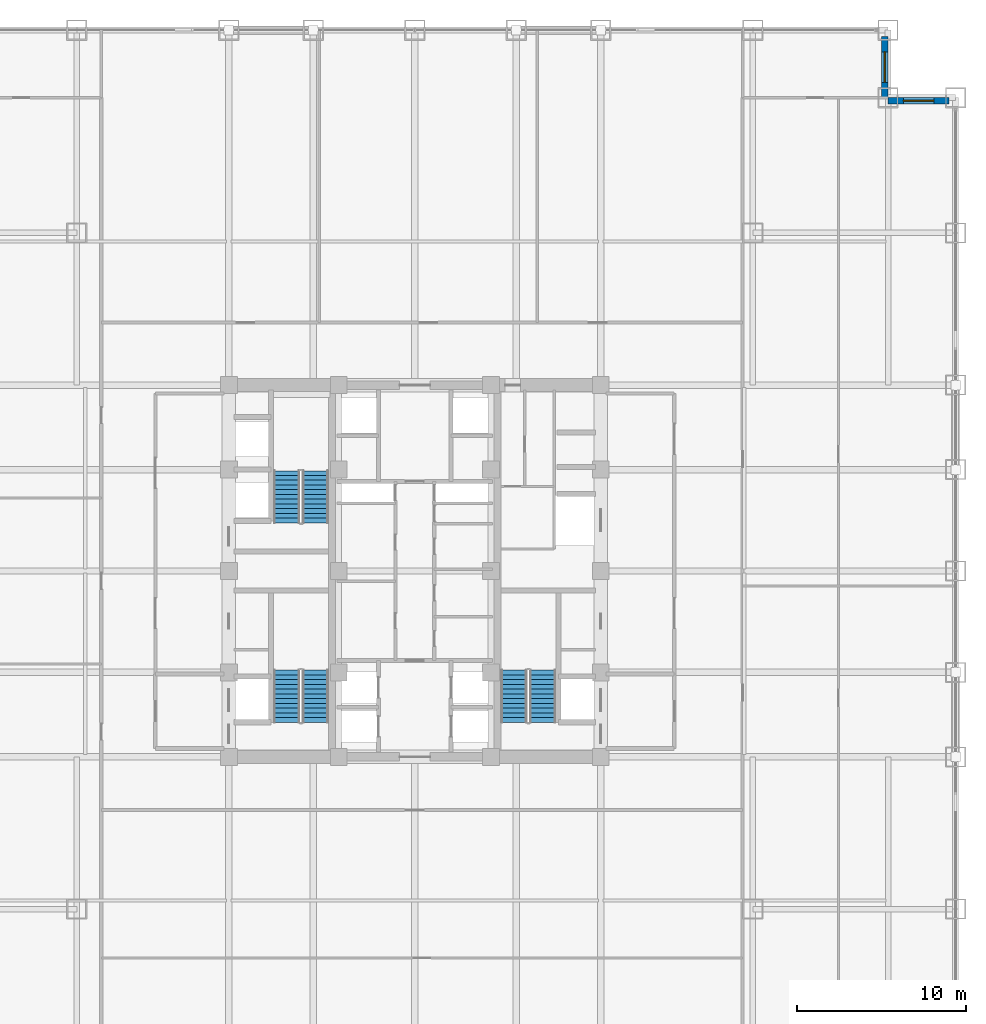
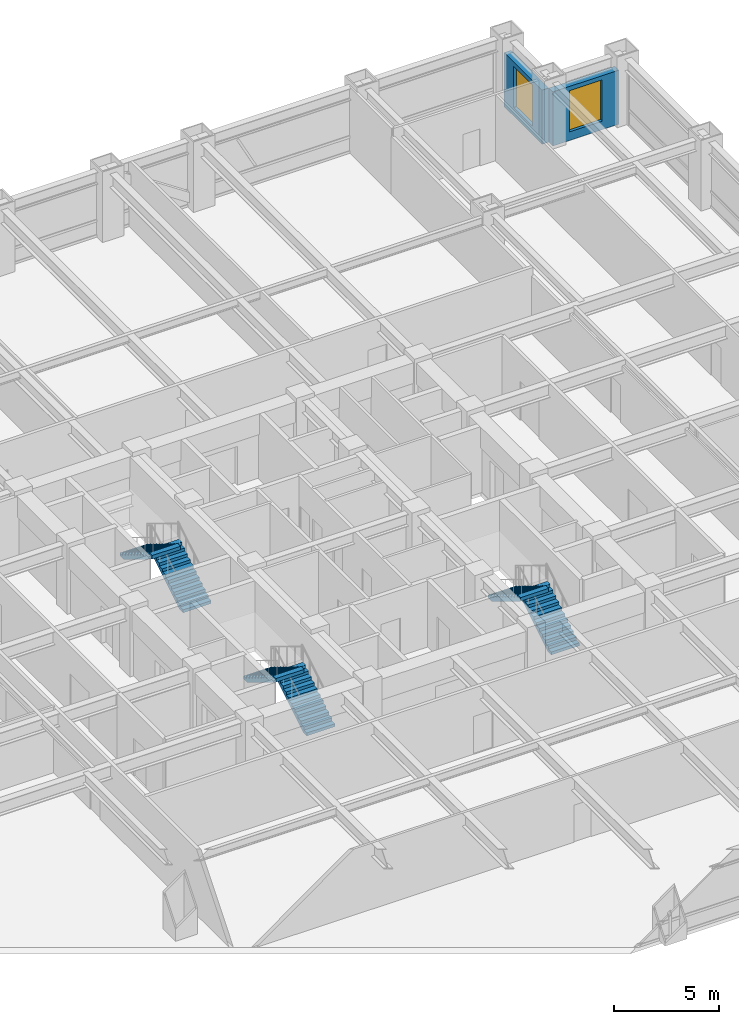
# One storey, part 27 of 28: 6 stair flights, 2 walls, 2 windows, 2 openings, 3 elements without a shape of their own.
"""IFC4 building model written with IfcOpenShell, lengths in metres."""

import ifcopenshell
import ifcopenshell.guid

model = None  # the IFC model being written
_history = None  # IfcOwnerHistory: only IFC2X3 demands one
_inside = {}  # id of a spatial element -> (the spatial element, [elements in it])
_under = {}  # id of a project, library or spatial element -> (it, [spatial elements below it])
_declared = {}  # id of a project -> (the project, [libraries it declares])
_typed = {}  # id of a type object -> (the type object, [elements of that type])
_made_of = {}  # id of a material, layer set ... -> (it, [elements and type objects made of it])


def new_model(schema):
    """Start an empty IFC model of exactly this schema.

    Asked for "IFC4X3", IfcOpenShell would pick the latest addendum, in which some entities
    have other attributes; the version numbers below select the first issue.
    IFC2X3 requires an IfcOwnerHistory on every rooted entity: one is made here for all.
    """
    global model, _history
    if schema == "IFC4X3":
        model = ifcopenshell.file(schema_version=(4, 3, 0, 0))
    else:
        model = ifcopenshell.file(schema=schema)
    _inside.clear()
    _under.clear()
    _declared.clear()
    _typed.clear()
    _made_of.clear()
    _history = None
    if model.schema == "IFC2X3":
        org = make("IfcOrganization", Name="unknown")
        user = make(
            "IfcPersonAndOrganization",
            ThePerson=make("IfcPerson", FamilyName="unknown"),
            TheOrganization=org,
        )
        app = make(
            "IfcApplication",
            ApplicationDeveloper=org,
            Version="unknown",
            ApplicationFullName="unknown",
            ApplicationIdentifier="unknown",
        )
        _history = make(
            "IfcOwnerHistory",
            OwningUser=user,
            OwningApplication=app,
            ChangeAction="ADDED",
            CreationDate=0,
        )
    return model


def make(cls, **values):
    """One entity of the class cls with the attributes given. An attribute that is None is left unset."""
    return model.create_entity(
        cls, **{name: value for name, value in values.items() if value is not None}
    )


def rooted(cls, **values):
    """An entity with a GlobalId (a new one), such as an element, a storey or a relation."""
    return make(cls, GlobalId=ifcopenshell.guid.new(), OwnerHistory=_history, **values)


def si_unit(unit_type, name, prefix=None):
    """IfcSIUnit, for example si_unit("LENGTHUNIT", "METRE", prefix="MILLI")."""
    return make("IfcSIUnit", UnitType=unit_type, Prefix=prefix, Name=name)


def assignment(units):
    """IfcUnitAssignment: the units of a project."""
    return None if units is None else make("IfcUnitAssignment", Units=units)


def point(xyz):
    """IfcCartesianPoint."""
    return None if xyz is None else make("IfcCartesianPoint", Coordinates=xyz)


def direction(xyz):
    """IfcDirection."""
    return None if xyz is None else make("IfcDirection", DirectionRatios=xyz)


def frame(location, z_axis=None, x_axis=None):
    """IfcAxis2Placement3D, a coordinate frame: its origin and axes. An axis left out is left unset."""
    return make(
        "IfcAxis2Placement3D",
        Location=point(location),
        Axis=direction(z_axis),
        RefDirection=direction(x_axis),
    )


def frame_2d(location, x_axis=None):
    """IfcAxis2Placement2D, a coordinate frame in the plane: its origin and x axis."""
    return make(
        "IfcAxis2Placement2D", Location=point(location), RefDirection=direction(x_axis)
    )


def origin():
    """The frame at (0, 0, 0) with its axes left unset."""
    return frame((0.0, 0.0, 0.0))


def place(relative_to, where):
    """IfcLocalPlacement: puts the frame where relative to a parent placement (None: the world)."""
    return make(
        "IfcLocalPlacement", PlacementRelTo=relative_to, RelativePlacement=where
    )


def context(
    kind, dimensions, precision=None, world=None, true_north=None, identifier=None
):
    """IfcGeometricRepresentationContext, for example the 3D "Model" context."""
    return make(
        "IfcGeometricRepresentationContext",
        ContextIdentifier=identifier,
        ContextType=kind,
        CoordinateSpaceDimension=dimensions,
        Precision=precision,
        WorldCoordinateSystem=world,
        TrueNorth=true_north,
    )


def subcontext(parent, identifier, kind, view, scale=None):
    """IfcGeometricRepresentationSubContext, for example "Body" below "Model"."""
    return make(
        "IfcGeometricRepresentationSubContext",
        ContextIdentifier=identifier,
        ContextType=kind,
        ParentContext=parent,
        TargetScale=scale,
        TargetView=view,
    )


def project(units=None, contexts=None):
    """IfcProject with its units and contexts."""
    return rooted(
        "IfcProject",
        Name="project",
        RepresentationContexts=contexts,
        UnitsInContext=assignment(units),
    )


def spatial(cls, under=None, at=None, **own):
    """A site, building, storey or space (cls), placed at a placement, below another one or the project."""
    s = rooted(cls, ObjectPlacement=at, **own)
    if under is not None:
        _under.setdefault(under.id(), (under, []))[1].append(s)
    return s


def polyline(points):
    """IfcPolyline through the points."""
    return make("IfcPolyline", Points=[point(p) for p in points])


def profile(cls, at=None, kind="AREA", **sizes):
    """A parametric profile (cls). Its sizes go by their IFC names, for example OverallWidth=200.0."""
    return make(cls, ProfileType=kind, Position=at, **sizes)


def rectangle(**sizes):
    """IfcRectangleProfileDef."""
    return profile("IfcRectangleProfileDef", **sizes)


def outline(outer, holes=None, kind="AREA"):
    """IfcArbitraryClosedProfileDef: a profile drawn as a closed curve; with holes, ...WithVoids."""
    if holes is None:
        return make("IfcArbitraryClosedProfileDef", ProfileType=kind, OuterCurve=outer)
    return make(
        "IfcArbitraryProfileDefWithVoids",
        ProfileType=kind,
        OuterCurve=outer,
        InnerCurves=holes,
    )


def extrude(swept, where, along, depth):
    """IfcExtrudedAreaSolid: the profile swept, set in the frame where, extruded along a direction by depth."""
    return make(
        "IfcExtrudedAreaSolid",
        SweptArea=swept,
        Position=where,
        ExtrudedDirection=direction(along),
        Depth=depth,
    )


def shape(context_of_items, identifier, shape_type, items):
    """IfcShapeRepresentation: the items that make up one representation, for example the "Body"."""
    return make(
        "IfcShapeRepresentation",
        ContextOfItems=context_of_items,
        RepresentationIdentifier=identifier,
        RepresentationType=shape_type,
        Items=items,
    )


def source(mapping_origin, context_of_items, identifier, shape_type, items):
    """IfcRepresentationMap: a shape defined once, which mapped items show again and again."""
    return make(
        "IfcRepresentationMap",
        MappingOrigin=mapping_origin,
        MappedRepresentation=shape(context_of_items, identifier, shape_type, items),
    )


def transform(
    local_origin,
    x_axis=None,
    y_axis=None,
    z_axis=None,
    scale=None,
    scale2=None,
    scale3=None,
    uniform=True,
):
    """IfcCartesianTransformationOperator3D, or its non-uniform kind. x_axis, y_axis, z_axis: its Axis1, 2, 3."""
    if uniform:
        return make(
            "IfcCartesianTransformationOperator3D",
            Axis1=direction(x_axis),
            Axis2=direction(y_axis),
            LocalOrigin=point(local_origin),
            Scale=scale,
            Axis3=direction(z_axis),
        )
    return make(
        "IfcCartesianTransformationOperator3DnonUniform",
        Axis1=direction(x_axis),
        Axis2=direction(y_axis),
        LocalOrigin=point(local_origin),
        Scale=scale,
        Axis3=direction(z_axis),
        Scale2=scale2,
        Scale3=scale3,
    )


def mapped(mapping_source, mapping_target):
    """IfcMappedItem: shows the shape of a source again, moved by a transform."""
    return make(
        "IfcMappedItem", MappingSource=mapping_source, MappingTarget=mapping_target
    )


def material(Name=None, Category=None):
    """IfcMaterial."""
    return make("IfcMaterial", Name=Name, Category=Category)


def layer(
    of_material, thickness, ventilated=None, Name=None, Category=None, Priority=None
):
    """IfcMaterialLayer: one layer of a wall or slab, of a material (None: an air gap)."""
    return make(
        "IfcMaterialLayer",
        Material=of_material,
        LayerThickness=thickness,
        IsVentilated=ventilated,
        Name=Name,
        Category=Category,
        Priority=Priority,
    )


def layer_set(layers, Name=None):
    """IfcMaterialLayerSet."""
    return make("IfcMaterialLayerSet", MaterialLayers=layers, LayerSetName=Name)


def made_of(thing, what):
    """Note that an element or type object is made of a material, layer set ...; save() writes the relation."""
    if what is not None:
        _made_of.setdefault(what.id(), (what, []))[1].append(thing)
    return thing


def type_object(cls, material=None, **own):
    """A type object (cls), such as IfcWallType, which elements share."""
    return made_of(rooted(cls, **own), material)


def element(
    cls,
    number,
    at=None,
    inside=None,
    cuts=None,
    type_object=None,
    material=None,
    context=None,
    identifier="Body",
    shape_type=None,
    held_by="IfcProductDefinitionShape",
    body=None,
    shapes=None,
    **own,
):
    """One element of the class cls, such as IfcWall. Its Tag is "e" and its number.

    at: its placement. inside: the storey or other place that contains it. cuts: it is an
    opening in that element (IfcRelVoidsElement). A single representation is given by context,
    identifier, shape_type and body (its items); several are given by shapes. held_by: the class
    of the entity that holds the representations. save() writes the other relations.
    """
    e = rooted(cls, Tag="e%d" % number, ObjectPlacement=at, **own)
    if body is not None:
        shapes = [shape(context, identifier, shape_type, body)]
    if shapes is not None:
        e.Representation = make(held_by, Representations=shapes)
    if inside is not None:
        _inside.setdefault(inside.id(), (inside, []))[1].append(e)
    if cuts is not None:
        rooted(
            "IfcRelVoidsElement", RelatingBuildingElement=cuts, RelatedOpeningElement=e
        )
    if type_object is not None:
        _typed.setdefault(type_object.id(), (type_object, []))[1].append(e)
    return made_of(e, material)


def fill(opening, filler):
    """IfcRelFillsElement: the door or window that sits in an opening."""
    return rooted(
        "IfcRelFillsElement",
        RelatingOpeningElement=opening,
        RelatedBuildingElement=filler,
    )


def aggregate(whole, parts):
    """IfcRelAggregates: a whole, such as a stair, and the parts it consists of."""
    return rooted("IfcRelAggregates", RelatingObject=whole, RelatedObjects=parts)


def save(model, path):
    """Write the relations noted so far, then the file.

    IfcRelAggregates (storeys below a building ...), IfcRelContainedInSpatialStructure (elements
    in a storey), IfcRelDefinesByType, IfcRelAssociatesMaterial and IfcRelDeclares: one each for
    every whole, place, type object, material and project.
    """
    for whole, parts in _under.values():
        aggregate(whole, parts)
    for where, things in _inside.values():
        rooted(
            "IfcRelContainedInSpatialStructure",
            RelatedElements=things,
            RelatingStructure=where,
        )
    for kind, things in _typed.values():
        rooted("IfcRelDefinesByType", RelatedObjects=things, RelatingType=kind)
    for what, things in _made_of.values():
        rooted("IfcRelAssociatesMaterial", RelatedObjects=things, RelatingMaterial=what)
    for by, libraries in _declared.values():
        rooted("IfcRelDeclares", RelatingContext=by, RelatedDefinitions=libraries)
    model.write(path)


model = new_model("IFC4")

# Units and contexts
model_context = context("Model", 3, precision=1e-05, world=origin(), true_north=direction((0.0, 1.0)))
body_context = subcontext(model_context, "Body", "Model", "MODEL_VIEW")
ifc_project = project(units=[si_unit("LENGTHUNIT", "METRE"), si_unit("AREAUNIT", "SQUARE_METRE"), si_unit("VOLUMEUNIT", "CUBIC_METRE"), si_unit("PLANEANGLEUNIT", "RADIAN"), si_unit("MASSUNIT", "GRAM", prefix="KILO")], contexts=[model_context])

# Site, building, storey
site_placement = place(None, origin())
site = spatial("IfcSite", under=ifc_project, at=site_placement, CompositionType="ELEMENT")
building_placement = place(site_placement, origin())
building = spatial("IfcBuilding", under=site, at=building_placement, Name="Khorayat Bourse Tower", CompositionType="ELEMENT")
storey_placement = place(building_placement, frame((0.0, 0.0, 120.10009765625)))
storey = spatial("IfcBuildingStorey", under=building, at=storey_placement, Name="L27", CompositionType="ELEMENT", Elevation=120.10009765625)

# Wall, opening, window
ifc_material_1 = material(Name="Precast concrete C45/55", Category="concrete")
ifc_layer = layer(ifc_material_1, 0.3798828125)
ifc_layer_set = layer_set([ifc_layer], Name="Precast concrete C45/55")
wall_type = type_object("IfcWallType", Name="WAL-EXT-STONE-380", PredefinedType="STANDARD", material=ifc_layer_set)
shared_shape_1 = source(origin(), body_context, "Body", "SweptSolid", [
    extrude(rectangle(XDim=3.6201171875, YDim=0.3798828125, at=frame_2d((1.81005859375, 0.0))), origin(), (0.0, 0.0, 1.0), 3.14501953125),
])
wall_1_placement = place(storey_placement, frame((28.0, 27.81005859375, 0.0), z_axis=(0.0, 0.0, 1.0), x_axis=(1.0, 0.0, 0.0)))
wall_1 = element("IfcWall", 1, at=wall_1_placement, inside=storey, type_object=wall_type, Name="L27 Re-Entrant Notch Limestone Wall NE-H", PredefinedType="STANDARD", context=body_context, shape_type="MappedRepresentation", body=[
    mapped(shared_shape_1, transform((0.0, 0.0, 0.0), scale=1.0)),
])
shared_shape_2 = source(origin(), body_context, "Body", "SweptSolid", [
    extrude(rectangle(XDim=1.800048828125, YDim=2.39990234375, at=frame_2d((0.89990234375, 1.199951171875))), frame((0.0, 0.199951171875, 0.0), z_axis=(0.0, -1.0, 0.0), x_axis=(1.0, 0.0, 0.0)), (0.0, 0.0, 1.0), 0.39990234375),
])
opening_1_placement = place(wall_1_placement, frame((0.909912109375, 0.0, 0.5)))
opening_1 = element("IfcOpeningElement", 2, at=opening_1_placement, cuts=wall_1, Name="Opening WN-04", PredefinedType="OPENING", context=body_context, shape_type="MappedRepresentation", body=[
    mapped(shared_shape_2, transform((0.0, 0.0, 0.0), scale=1.0)),
])
ifc_material_2 = material(Name="Low-E acoustic laminated double glazing", Category="glass")
window_type = type_object("IfcWindowType", Name="WIN-NOTCH-1800x2400", PartitioningType="SINGLE_PANEL", PredefinedType="WINDOW", material=ifc_material_2)
shared_shape_3 = source(origin(), body_context, "Body", "SweptSolid", [
    extrude(rectangle(XDim=1.800048828125, YDim=2.39990234375, at=frame_2d((0.89990234375, 1.199951171875))), frame((0.0, 0.030029296875, 0.0), z_axis=(0.0, -1.0, 0.0), x_axis=(1.0, 0.0, 0.0)), (0.0, 0.0, 1.0), 0.06005859375),
])
window_1_placement = place(opening_1_placement, origin())
window_1 = element("IfcWindow", 3, at=window_1_placement, inside=storey, type_object=window_type, Name="L27 Facade Window 1", OverallHeight=2.39990234375, OverallWidth=1.800048828125, PartitioningType="SINGLE_PANEL", PredefinedType="WINDOW", context=body_context, shape_type="MappedRepresentation", body=[
    mapped(shared_shape_3, transform((0.0, 0.0, 0.0), scale=1.0)),
])
fill(opening_1, window_1)

wall_2_placement = place(storey_placement, frame((27.81005859375, 28.0, 0.0), z_axis=(0.0, 0.0, 1.0), x_axis=(0.0, 1.0, 0.0)))
wall_2 = element("IfcWall", 4, at=wall_2_placement, inside=storey, type_object=wall_type, Name="L27 Re-Entrant Notch Limestone Wall NE-V", PredefinedType="STANDARD", context=body_context, shape_type="MappedRepresentation", body=[
    mapped(shared_shape_1, transform((0.0, 0.0, 0.0), scale=1.0)),
])
opening_2_placement = place(wall_2_placement, frame((0.909912109375, 0.0, 0.5)))
opening_2 = element("IfcOpeningElement", 5, at=opening_2_placement, cuts=wall_2, Name="Opening WN-04", PredefinedType="OPENING", context=body_context, shape_type="MappedRepresentation", body=[
    mapped(shared_shape_2, transform((0.0, 0.0, 0.0), scale=1.0)),
])
window_2_placement = place(opening_2_placement, origin())
window_2 = element("IfcWindow", 6, at=window_2_placement, inside=storey, type_object=window_type, Name="L27 Facade Window 1", OverallHeight=2.39990234375, OverallWidth=1.800048828125, PartitioningType="SINGLE_PANEL", PredefinedType="WINDOW", context=body_context, shape_type="MappedRepresentation", body=[
    mapped(shared_shape_3, transform((0.0, 0.0, 0.0), scale=1.0)),
])
fill(opening_2, window_2)

# Stair, stair flights
ifc_material_3 = material(Name="Concrete C40/50", Category="concrete")
stair_type = type_object("IfcStairType", Name="STR-CORE-1550", PredefinedType="HALF_TURN_STAIR", material=ifc_material_3)
stair_1_placement = place(storey_placement, origin())
stair_1 = element("IfcStair", 7, at=stair_1_placement, inside=storey, type_object=stair_type, Name="L27 Exit Stair ST-1", PredefinedType="HALF_TURN_STAIR")
stair_flight_type = type_object("IfcStairFlightType", Name="FLT-CORE-1550", PredefinedType="STRAIGHT", material=ifc_material_3)
shared_shape_4 = source(origin(), body_context, "Body", "SweptSolid", [
    extrude(outline(polyline([(0.0, 0.0), (0.0, 0.1708984375), (0.280029296875, 0.1708984375), (0.280029296875, 0.341552734375), (0.56005859375, 0.341552734375), (0.56005859375, 0.512451171875), (0.840087890625, 0.512451171875), (0.840087890625, 0.683349609375), (1.1201171875, 0.683349609375), (1.1201171875, 0.854248046875), (1.39990234375, 0.854248046875), (1.39990234375, 1.02490234375), (1.679931640625, 1.02490234375), (1.679931640625, 1.19580078125), (1.9599609375, 1.19580078125), (1.9599609375, 1.36669921875), (2.239990234375, 1.36669921875), (2.239990234375, 1.53759765625), (2.52001953125, 1.53759765625), (2.52001953125, 1.708251953125), (2.800048828125, 1.708251953125), (2.800048828125, 1.879150390625), (3.080078125, 1.879150390625), (3.080078125, 2.050048828125), (3.080078125, 1.66845703125), (0.345458984375, 0.0), (0.0, 0.0)])), frame((0.0, 0.77490234375, 0.0), z_axis=(0.0, -1.0, 0.0), x_axis=(1.0, 0.0, 0.0)), (0.0, 0.0, 1.0), 1.550048828125),
])
stair_flight_1_placement = place(storey_placement, frame((-5.875, -8.949951171875, 0.0), z_axis=(0.0, 0.0, 1.0), x_axis=(0.0, 1.0, 0.0)))
stair_flight_1 = element("IfcStairFlight", 8, at=stair_flight_1_placement, type_object=stair_flight_type, Name="ST-1 flight 1", NumberOfRisers=12, NumberOfTreads=11, PredefinedType="STRAIGHT", RiserHeight=0.170833333, TreadLength=0.28, context=body_context, shape_type="MappedRepresentation", body=[
    mapped(shared_shape_4, transform((0.0, 0.0, 0.0), scale=1.0)),
])
stair_flight_2_placement = place(storey_placement, frame((-7.574951171875, -5.8701171875, 2.0498046875), z_axis=(0.0, 0.0, 1.0), x_axis=(0.0, -1.0, 0.0)))
stair_flight_2 = element("IfcStairFlight", 9, at=stair_flight_2_placement, type_object=stair_flight_type, Name="ST-1 flight 2", NumberOfRisers=12, NumberOfTreads=11, PredefinedType="STRAIGHT", RiserHeight=0.170833333, TreadLength=0.28, context=body_context, shape_type="MappedRepresentation", body=[
    mapped(shared_shape_4, transform((0.0, 0.0, 0.0), scale=1.0)),
])
aggregate(stair_1, [stair_flight_1, stair_flight_2])

stair_2_placement = place(storey_placement, origin())
stair_2 = element("IfcStair", 10, at=stair_2_placement, inside=storey, type_object=stair_type, Name="L27 Exit Stair ST-2", PredefinedType="HALF_TURN_STAIR")
stair_flight_3_placement = place(storey_placement, frame((-5.875, 2.85009765625, 0.0), z_axis=(0.0, 0.0, 1.0), x_axis=(0.0, 1.0, 0.0)))
stair_flight_3 = element("IfcStairFlight", 11, at=stair_flight_3_placement, type_object=stair_flight_type, Name="ST-2 flight 1", NumberOfRisers=12, NumberOfTreads=11, PredefinedType="STRAIGHT", RiserHeight=0.170833333, TreadLength=0.28, context=body_context, shape_type="MappedRepresentation", body=[
    mapped(shared_shape_4, transform((0.0, 0.0, 0.0), scale=1.0)),
])
stair_flight_4_placement = place(storey_placement, frame((-7.574951171875, 5.929931640625, 2.0498046875), z_axis=(0.0, 0.0, 1.0), x_axis=(0.0, -1.0, 0.0)))
stair_flight_4 = element("IfcStairFlight", 12, at=stair_flight_4_placement, type_object=stair_flight_type, Name="ST-2 flight 2", NumberOfRisers=12, NumberOfTreads=11, PredefinedType="STRAIGHT", RiserHeight=0.170833333, TreadLength=0.28, context=body_context, shape_type="MappedRepresentation", body=[
    mapped(shared_shape_4, transform((0.0, 0.0, 0.0), scale=1.0)),
])
aggregate(stair_2, [stair_flight_3, stair_flight_4])

stair_3_placement = place(storey_placement, origin())
stair_3 = element("IfcStair", 13, at=stair_3_placement, inside=storey, type_object=stair_type, Name="L27 Exit Stair ST-3", PredefinedType="HALF_TURN_STAIR")
stair_flight_5_placement = place(storey_placement, frame((7.574951171875, -8.949951171875, 0.0), z_axis=(0.0, 0.0, 1.0), x_axis=(0.0, 1.0, 0.0)))
stair_flight_5 = element("IfcStairFlight", 14, at=stair_flight_5_placement, type_object=stair_flight_type, Name="ST-3 flight 1", NumberOfRisers=12, NumberOfTreads=11, PredefinedType="STRAIGHT", RiserHeight=0.170833333, TreadLength=0.28, context=body_context, shape_type="MappedRepresentation", body=[
    mapped(shared_shape_4, transform((0.0, 0.0, 0.0), scale=1.0)),
])
stair_flight_6_placement = place(storey_placement, frame((5.875, -5.8701171875, 2.0498046875), z_axis=(0.0, 0.0, 1.0), x_axis=(0.0, -1.0, 0.0)))
stair_flight_6 = element("IfcStairFlight", 15, at=stair_flight_6_placement, type_object=stair_flight_type, Name="ST-3 flight 2", NumberOfRisers=12, NumberOfTreads=11, PredefinedType="STRAIGHT", RiserHeight=0.170833333, TreadLength=0.28, context=body_context, shape_type="MappedRepresentation", body=[
    mapped(shared_shape_4, transform((0.0, 0.0, 0.0), scale=1.0)),
])
aggregate(stair_3, [stair_flight_5, stair_flight_6])

save(model, "model.ifc")
